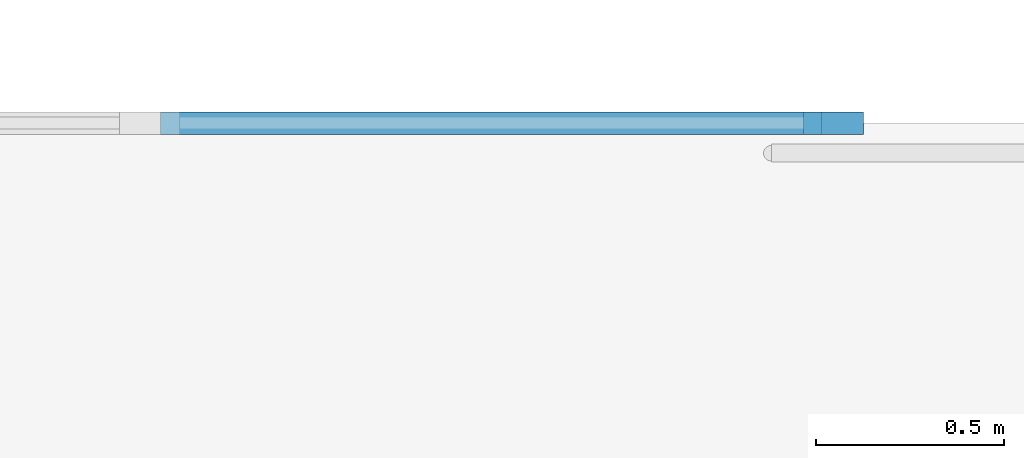
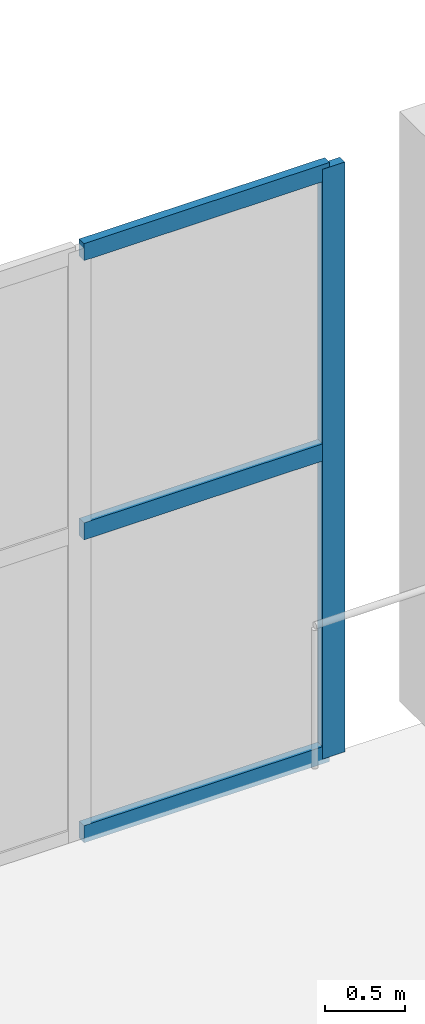
# One storey, part 65 of 142: 4 members, 1 element without a shape of its own.
"""IFC4 building model written with IfcOpenShell, lengths in metres."""

from ifc_helpers import new_model, si_unit, direction, frame, origin, origin_2d, place, context, subcontext, project, spatial, rectangle, extrude, material, material_profile, profile_set, type_object, element, aggregate, save


model = new_model("IFC4")

# Units and contexts
model_context = context("Model", 3, precision=1e-05, world=origin(), true_north=direction((0.0, 1.0)))
body_context = subcontext(model_context, "Body", "Model", "MODEL_VIEW")
ifc_project = project(units=[si_unit("LENGTHUNIT", "METRE"), si_unit("AREAUNIT", "SQUARE_METRE"), si_unit("VOLUMEUNIT", "CUBIC_METRE"), si_unit("PLANEANGLEUNIT", "RADIAN"), si_unit("MASSUNIT", "GRAM", prefix="KILO")], contexts=[model_context])

# Site, building, storey
site_placement = place(None, origin())
site = spatial("IfcSite", under=ifc_project, at=site_placement, CompositionType="ELEMENT")
building_placement = place(site_placement, origin())
building = spatial("IfcBuilding", under=site, at=building_placement, Name="Koshinbarg Plaza Stadium", CompositionType="ELEMENT")
storey_placement = place(building_placement, frame((0.0, 0.0, 10.199951171875)))
storey = spatial("IfcBuildingStorey", under=building, at=storey_placement, Name="L02", CompositionType="ELEMENT", Elevation=10.199951171875)

# Curtain wall, members
ifc_material_1 = material(Name="Thermally broken anodised aluminium and low-E double glazing", Category="aluminium")
curtain_wall_type = type_object("IfcCurtainWallType", Name="CW-SYS-02", PredefinedType="NOTDEFINED", material=ifc_material_1)
curtain_wall_placement = place(storey_placement, origin())
curtain_wall = element("IfcCurtainWall", 1, at=curtain_wall_placement, inside=storey, type_object=curtain_wall_type, Name="L02 unitised curtain wall CW-L02-049", PredefinedType="NOTDEFINED")
ifc_material_2 = material(Name="Anodised aluminium mullion", Category="aluminium")
ifc_material_profile_1 = material_profile(ifc_material_2, rectangle(XDim=0.06005859375, YDim=0.159912109375, at=origin_2d()), Name="ALU 60x160")
ifc_profile_set_1 = profile_set([ifc_material_profile_1], Name="Anodised aluminium mullion")
member_type_1 = type_object("IfcMemberType", Name="CW-MUL-02", PredefinedType="MULLION", material=ifc_profile_set_1)
member_1_placement = place(storey_placement, frame((87.35009765625, 152.0, 0.0), z_axis=(0.0, 0.0, 1.0), x_axis=(0.0, 1.0, 0.0)))
member_1 = element("IfcMember", 2, at=member_1_placement, type_object=member_type_1, Name="CW02 mullion 4", PredefinedType="MULLION", context=body_context, shape_type="SweptSolid", body=[
    extrude(rectangle(XDim=0.06005859375, YDim=0.159912109375, at=origin_2d()), origin(), (0.0, 0.0, 1.0), 4.47998046875),
])
ifc_material_3 = material(Name="Anodised aluminium transom", Category="aluminium")
ifc_material_profile_2 = material_profile(ifc_material_3, rectangle(XDim=0.06005859375, YDim=0.1298828125, at=origin_2d()), Name="ALU 60x130")
ifc_profile_set_2 = profile_set([ifc_material_profile_2], Name="Anodised aluminium transom")
member_type_2 = type_object("IfcMemberType", Name="CW-TRN-02", PredefinedType="USERDEFINED", material=ifc_profile_set_2)
member_2_placement = place(storey_placement, frame((85.556640625, 152.0, 0.030029296875), z_axis=(1.0, 0.0, 0.0), x_axis=(0.0, 1.0, 0.0)))
member_2 = element("IfcMember", 3, at=member_2_placement, type_object=member_type_2, Name="CW02 transom 3.1", ObjectType="TRANSOM", PredefinedType="USERDEFINED", context=body_context, shape_type="SweptSolid", body=[
    extrude(rectangle(XDim=0.06005859375, YDim=0.1298828125, at=origin_2d()), origin(), (0.0, 0.0, 1.0), 1.763427734375),
])
member_3_placement = place(storey_placement, frame((85.556640625, 152.0, 2.32958984375), z_axis=(1.0, 0.0, 0.0), x_axis=(0.0, 1.0, 0.0)))
member_3 = element("IfcMember", 4, at=member_3_placement, type_object=member_type_2, Name="CW02 transom 3.2", ObjectType="TRANSOM", PredefinedType="USERDEFINED", context=body_context, shape_type="SweptSolid", body=[
    extrude(rectangle(XDim=0.06005859375, YDim=0.1298828125, at=origin_2d()), origin(), (0.0, 0.0, 1.0), 1.763427734375),
])
member_4_placement = place(storey_placement, frame((85.556640625, 152.0, 4.449951171875), z_axis=(1.0, 0.0, 0.0), x_axis=(0.0, 1.0, 0.0)))
member_4 = element("IfcMember", 5, at=member_4_placement, type_object=member_type_2, Name="CW02 transom 3.3", ObjectType="TRANSOM", PredefinedType="USERDEFINED", context=body_context, shape_type="SweptSolid", body=[
    extrude(rectangle(XDim=0.06005859375, YDim=0.1298828125, at=origin_2d()), origin(), (0.0, 0.0, 1.0), 1.763427734375),
])
aggregate(curtain_wall, [member_1, member_2, member_3, member_4])

save(model, "model.ifc")
